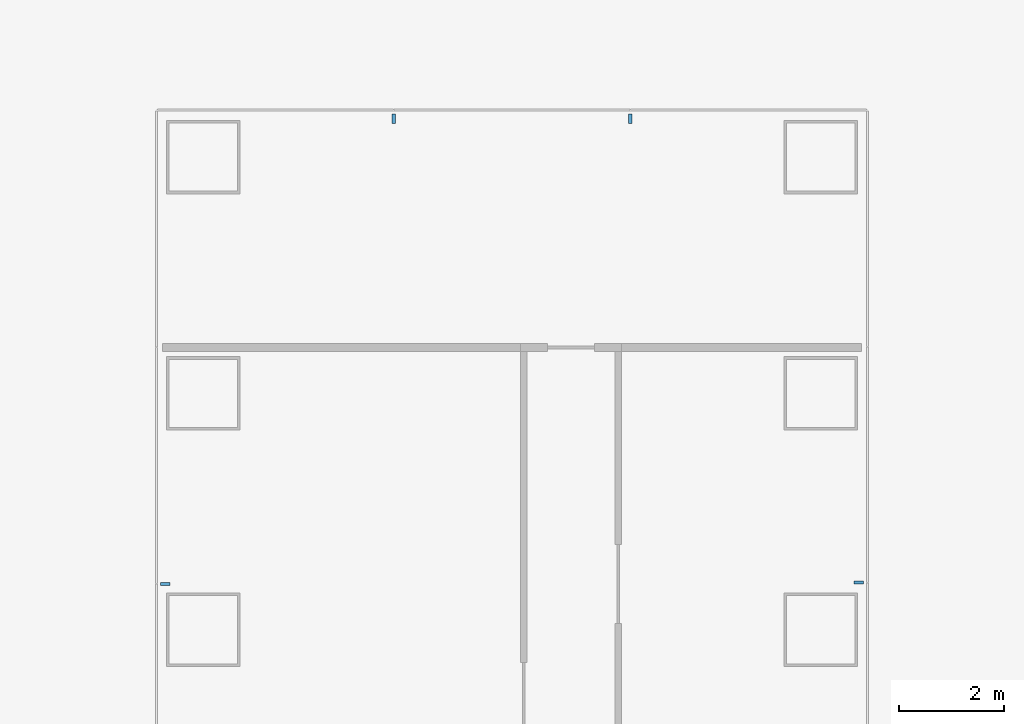
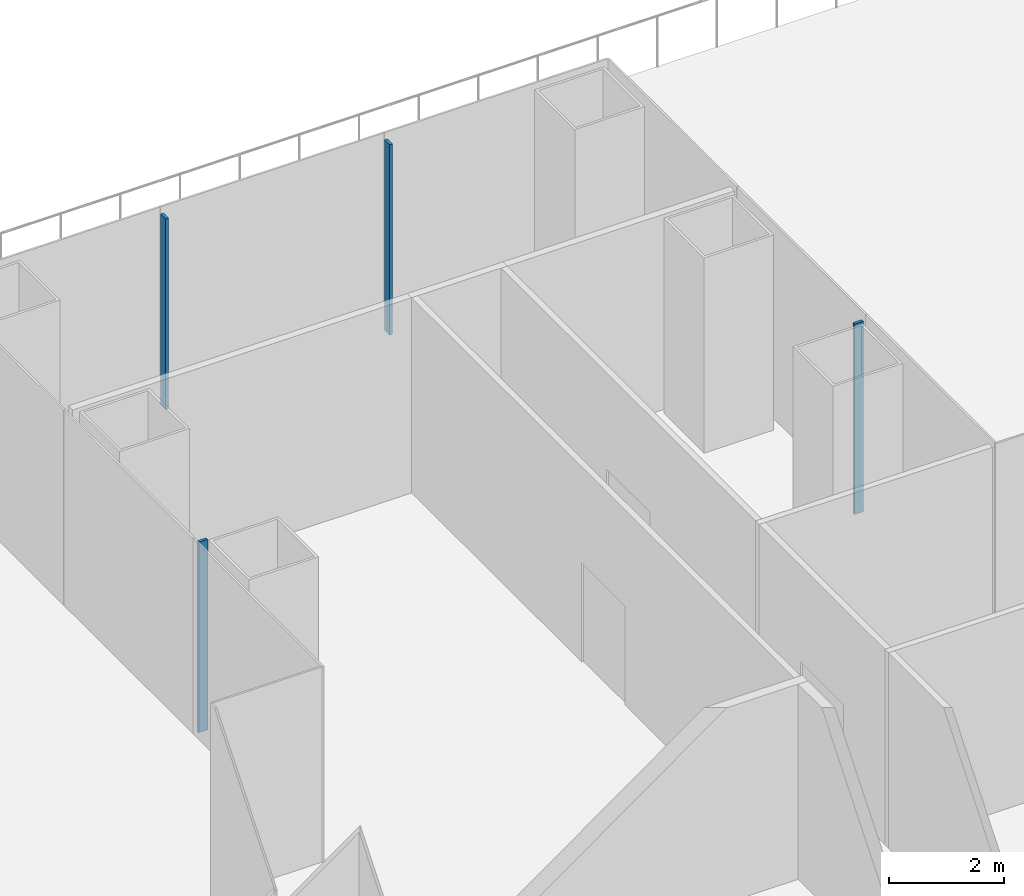
# One storey, part 6 of 23: 4 members, 3 elements without a shape of their own.
"""IFC4 building model written with IfcOpenShell, lengths in metres."""

from ifc_helpers import new_model, si_unit, direction, frame, origin, origin_2d, place, context, subcontext, project, spatial, rectangle, extrude, material, layer, layer_set, material_profile, profile_set, type_object, element, aggregate, save


model = new_model("IFC4")

# Units and contexts
model_context = context("Model", 3, precision=1e-05, world=origin(), true_north=direction((0.0, 1.0)))
body_context = subcontext(model_context, "Body", "Model", "MODEL_VIEW")
ifc_project = project(units=[si_unit("LENGTHUNIT", "METRE"), si_unit("AREAUNIT", "SQUARE_METRE"), si_unit("VOLUMEUNIT", "CUBIC_METRE"), si_unit("PLANEANGLEUNIT", "RADIAN"), si_unit("MASSUNIT", "GRAM", prefix="KILO")], contexts=[model_context])

# Site, building, storey
site_placement = place(None, origin())
site = spatial("IfcSite", under=ifc_project, at=site_placement, CompositionType="ELEMENT")
building_placement = place(site_placement, origin())
building = spatial("IfcBuilding", under=site, at=building_placement, Name="Shamsa Quay Exchange Towers", CompositionType="ELEMENT")
storey_placement = place(building_placement, frame((0.0, 0.0, 28.5)))
storey = spatial("IfcBuildingStorey", under=building, at=storey_placement, Name="L05", CompositionType="ELEMENT", Elevation=28.5)

# Curtain wall, member
ifc_material = material(Name="Aluminium EN AW-6063 T6, black anodised", Category="aluminium")
ifc_layer = layer(ifc_material, 0.280029296875)
ifc_layer_set = layer_set([ifc_layer], Name="CW-1 UNITISED VISION GLASS")
curtain_wall_type = type_object("IfcCurtainWallType", Name="CW-1 UNITISED VISION GLASS", PredefinedType="NOTDEFINED", material=ifc_layer_set)
curtain_wall_1_placement = place(storey_placement, origin())
curtain_wall_1 = element("IfcCurtainWall", 1, at=curtain_wall_1_placement, inside=storey, type_object=curtain_wall_type, Name="CW1 T1-FLK-V+E L05", PredefinedType="NOTDEFINED")
ifc_material_profile = material_profile(ifc_material, rectangle(XDim=0.179931640625, YDim=0.06005859375, at=origin_2d()), Name="MU60x180")
ifc_profile_set = profile_set([ifc_material_profile], Name="Aluminium EN AW-6063 T6, black anodised")
member_type = type_object("IfcMemberType", Name="CW1 MULLION 60x180", PredefinedType="MULLION", material=ifc_profile_set)
member_1_placement = place(storey_placement, frame((-27.14990234375, 15.775390625, 0.0), z_axis=(0.0, 0.0, 1.0), x_axis=(-1.0, 0.0, 0.0)))
member_1 = element("IfcMember", 2, at=member_1_placement, type_object=member_type, Name="CW1 mullion", PredefinedType="MULLION", context=body_context, shape_type="SweptSolid", body=[
    extrude(rectangle(XDim=0.179931640625, YDim=0.06005859375, at=origin_2d()), origin(), (0.0, 0.0, 1.0), 4.050048828125),
])
aggregate(curtain_wall_1, [member_1])

# Curtain wall, members
curtain_wall_2_placement = place(storey_placement, origin())
curtain_wall_2 = element("IfcCurtainWall", 3, at=curtain_wall_2_placement, inside=storey, type_object=curtain_wall_type, Name="CW1 T1-END-V+ L05", PredefinedType="NOTDEFINED")
member_2_placement = place(storey_placement, frame((-31.5, 24.60009765625, 0.0), z_axis=(0.0, 0.0, 1.0), x_axis=(0.0, -1.0, 0.0)))
member_2 = element("IfcMember", 4, at=member_2_placement, type_object=member_type, Name="CW1 mullion", PredefinedType="MULLION", context=body_context, shape_type="SweptSolid", body=[
    extrude(rectangle(XDim=0.179931640625, YDim=0.06005859375, at=origin_2d()), origin(), (0.0, 0.0, 1.0), 4.050048828125),
])
member_3_placement = place(storey_placement, frame((-36.0, 24.60009765625, 0.0), z_axis=(0.0, 0.0, 1.0), x_axis=(0.0, -1.0, 0.0)))
member_3 = element("IfcMember", 5, at=member_3_placement, type_object=member_type, Name="CW1 mullion", PredefinedType="MULLION", context=body_context, shape_type="SweptSolid", body=[
    extrude(rectangle(XDim=0.179931640625, YDim=0.06005859375, at=origin_2d()), origin(), (0.0, 0.0, 1.0), 4.050048828125),
])
aggregate(curtain_wall_2, [member_2, member_3])

# Curtain wall, member
curtain_wall_3_placement = place(storey_placement, origin())
curtain_wall_3 = element("IfcCurtainWall", 6, at=curtain_wall_3_placement, inside=storey, type_object=curtain_wall_type, Name="CW1 T1-FLK-V+W L05", PredefinedType="NOTDEFINED")
member_4_placement = place(storey_placement, frame((-40.35009765625, 15.75, 0.0)))
member_4 = element("IfcMember", 7, at=member_4_placement, type_object=member_type, Name="CW1 mullion", PredefinedType="MULLION", context=body_context, shape_type="SweptSolid", body=[
    extrude(rectangle(XDim=0.179931640625, YDim=0.06005859375, at=origin_2d()), origin(), (0.0, 0.0, 1.0), 4.050048828125),
])
aggregate(curtain_wall_3, [member_4])

save(model, "model.ifc")
